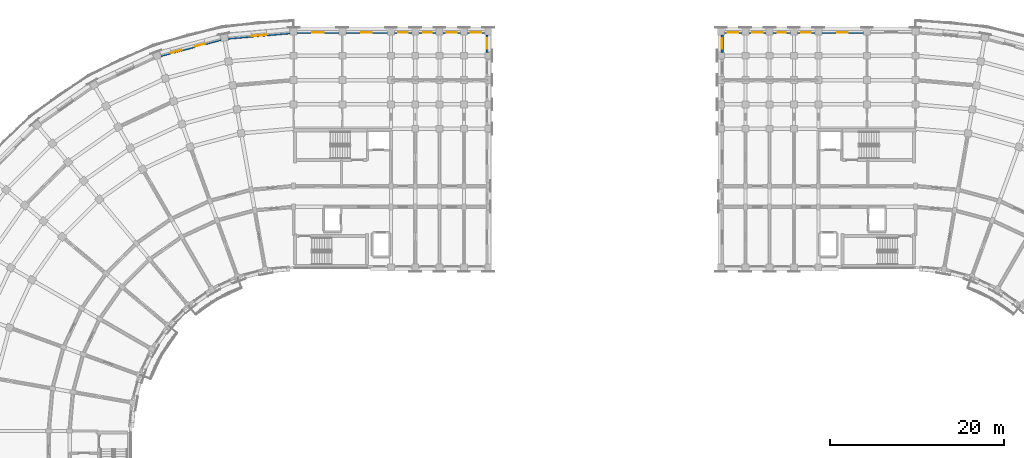
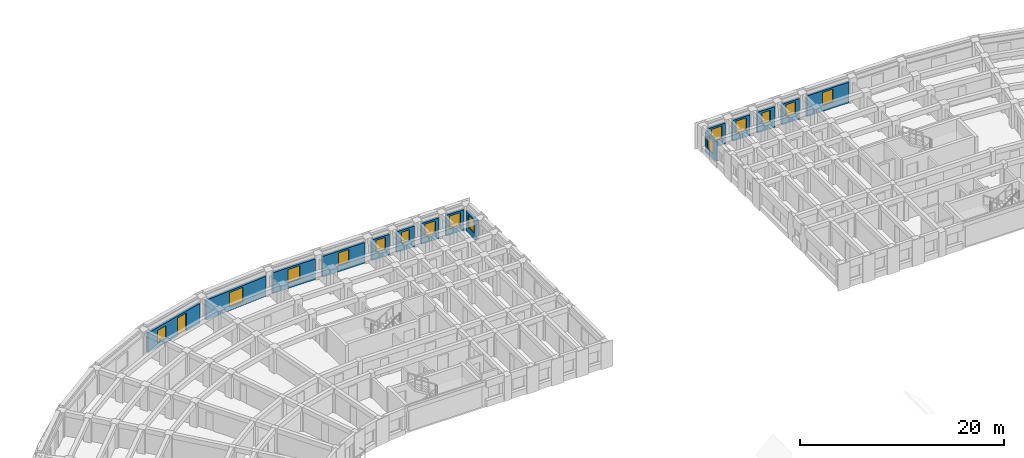
# One storey, part 35 of 54: 15 walls, 15 windows, 1 door, 16 openings.
"""IFC4 building model written with IfcOpenShell, lengths in metres."""

from ifc_helpers import new_model, si_unit, direction, frame, frame_2d, origin, place, context, subcontext, project, spatial, rectangle, extrude, material, layer, layer_set, type_object, element, fill, save


model = new_model("IFC4")

# Units and contexts
model_context = context("Model", 3, precision=1e-05, world=origin(), true_north=direction((0.0, 1.0)))
body_context = subcontext(model_context, "Body", "Model", "MODEL_VIEW")
ifc_project = project(units=[si_unit("LENGTHUNIT", "METRE"), si_unit("AREAUNIT", "SQUARE_METRE"), si_unit("VOLUMEUNIT", "CUBIC_METRE"), si_unit("PLANEANGLEUNIT", "RADIAN"), si_unit("MASSUNIT", "GRAM", prefix="KILO")], contexts=[model_context])

# Site, building, storey
site_placement = place(None, origin())
site = spatial("IfcSite", under=ifc_project, at=site_placement, CompositionType="ELEMENT")
building_placement = place(site_placement, origin())
building = spatial("IfcBuilding", under=site, at=building_placement, Name="Kiranvali Square Residences", CompositionType="ELEMENT")
storey_placement = place(building_placement, frame((0.0, 0.0, 11.85009765625)))
storey = spatial("IfcBuildingStorey", under=building, at=storey_placement, Name="L03", CompositionType="ELEMENT", Elevation=11.85009765625)

# Wall, opening, window
ifc_material_1 = material(Name="Breathable lime-rendered clay brick masonry", Category="masonry")
ifc_layer = layer(ifc_material_1, 0.27490234375)
ifc_layer_set = layer_set([ifc_layer], Name="Breathable lime-rendered clay brick masonry")
wall_type = type_object("IfcWallType", Name="WL-EXT-275", PredefinedType="STANDARD", material=ifc_layer_set)
wall_1_placement = place(storey_placement, frame((47.785400390625, 133.63818359375, 0.0), z_axis=(0.0, 0.0, 1.0), x_axis=(-0.99619608453, -0.08713989423, 0.0)))
wall_1 = element("IfcWall", 1, at=wall_1_placement, inside=storey, type_object=wall_type, Name="L03 exterior wall A-L03-CRV-00", PredefinedType="STANDARD", context=body_context, shape_type="SweptSolid", body=[
    extrude(rectangle(XDim=7.1640625, YDim=0.27490234375, at=frame_2d((3.58203125, 0.0))), origin(), (0.0, 0.0, 1.0), 2.371826171875),
])
opening_1_placement = place(wall_1_placement, frame((2.757080078125, 0.0, 0.422119140625)))
opening_1 = element("IfcOpeningElement", 2, at=opening_1_placement, cuts=wall_1, Name="Opening W-13", PredefinedType="OPENING", context=body_context, shape_type="SweptSolid", body=[
    extrude(rectangle(XDim=1.64990234375, YDim=1.75, at=frame_2d((0.824951171875, 0.875))), frame((0.0, 0.1474609375, 0.0), z_axis=(0.0, -1.0, 0.0), x_axis=(1.0, 0.0, 0.0)), (0.0, 0.0, 1.0), 0.294921875),
])
ifc_material_2 = material(Name="Solar-control low-e double glazing", Category="glass")
window_type_1 = type_object("IfcWindowType", Name="WIN-RES-1650x1750", PartitioningType="DOUBLE_PANEL_VERTICAL", PredefinedType="WINDOW", material=ifc_material_2)
window_1_placement = place(opening_1_placement, origin())
window_1 = element("IfcWindow", 3, at=window_1_placement, inside=storey, type_object=window_type_1, Name="L03 recessed window A-L03-CRV-00", OverallHeight=1.75, OverallWidth=1.64990234375, PartitioningType="DOUBLE_PANEL_VERTICAL", PredefinedType="WINDOW", context=body_context, shape_type="SweptSolid", body=[
    extrude(rectangle(XDim=1.64990234375, YDim=1.75, at=frame_2d((0.824951171875, 0.875))), frame((0.0, 0.030029296875, 0.0), z_axis=(0.0, -1.0, 0.0), x_axis=(1.0, 0.0, 0.0)), (0.0, 0.0, 1.0), 0.06005859375),
])
fill(opening_1, window_1)

# Wall, openings, door, window
wall_2_placement = place(storey_placement, frame((39.83203125, 132.869873046875, 0.0), z_axis=(0.0, 0.0, 1.0), x_axis=(-0.965923712619, -0.258826933296, 0.0)))
wall_2 = element("IfcWall", 4, at=wall_2_placement, inside=storey, type_object=wall_type, Name="L03 exterior wall A-L03-CRV-01", PredefinedType="STANDARD", context=body_context, shape_type="SweptSolid", body=[
    extrude(rectangle(XDim=7.1640625, YDim=0.27490234375, at=frame_2d((3.58203125, 0.0))), origin(), (0.0, 0.0, 1.0), 2.371826171875),
])
opening_2_placement = place(wall_2_placement, frame((4.6904296875, 0.0, 0.52197265625)))
opening_2 = element("IfcOpeningElement", 5, at=opening_2_placement, cuts=wall_2, Name="Opening W-06", PredefinedType="OPENING", context=body_context, shape_type="SweptSolid", body=[
    extrude(rectangle(XDim=1.199951171875, YDim=1.5, at=frame_2d((0.60009765625, 0.75))), frame((0.0, 0.1474609375, 0.0), z_axis=(0.0, -1.0, 0.0), x_axis=(1.0, 0.0, 0.0)), (0.0, 0.0, 1.0), 0.294921875),
])
opening_3_placement = place(wall_2_placement, frame((1.87744140625, 0.0, 0.0)))
opening_3 = element("IfcOpeningElement", 6, at=opening_3_placement, cuts=wall_2, Name="Opening ED-BAL-2", PredefinedType="OPENING", context=body_context, shape_type="SweptSolid", body=[
    extrude(rectangle(XDim=1.260009765625, YDim=2.14990234375, at=frame_2d((0.6298828125, 1.074951171875))), frame((0.0, 0.1474609375, 0.0), z_axis=(0.0, -1.0, 0.0), x_axis=(1.0, 0.0, 0.0)), (0.0, 0.0, 1.0), 0.294921875),
])
ifc_material_3 = material(Name="Anodised bronze aluminium framing", Category="aluminium")
door_type = type_object("IfcDoorType", Name="DR-BAL-1260", OperationType="NOTDEFINED", PredefinedType="DOOR", material=ifc_material_3)
door_placement = place(opening_3_placement, frame((1.260009765625, 0.0, 0.0), z_axis=(0.0, 0.0, 1.0), x_axis=(-1.0, 0.0, 0.0)))
door = element("IfcDoor", 7, at=door_placement, inside=storey, type_object=door_type, Name="L03 balcony terrace door", OperationType="SINGLE_SWING_RIGHT", OverallHeight=2.14990234375, OverallWidth=1.260009765625, PredefinedType="DOOR", context=body_context, shape_type="SweptSolid", body=[
    extrude(rectangle(XDim=1.260009765625, YDim=2.14990234375, at=frame_2d((0.6298828125, 1.074951171875))), frame((0.0, 0.02490234375, 0.0), z_axis=(0.0, -1.0, 0.0), x_axis=(1.0, 0.0, 0.0)), (0.0, 0.0, 1.0), 0.050048828125),
])
fill(opening_3, door)
window_type_2 = type_object("IfcWindowType", Name="WIN-RES-1200x1500", PartitioningType="SINGLE_PANEL", PredefinedType="WINDOW", material=ifc_material_2)
window_2_placement = place(opening_2_placement, origin())
window_2 = element("IfcWindow", 8, at=window_2_placement, inside=storey, type_object=window_type_2, Name="L03 recessed window A-L03-CRV-01", OverallHeight=1.5, OverallWidth=1.199951171875, PartitioningType="SINGLE_PANEL", PredefinedType="WINDOW", context=body_context, shape_type="SweptSolid", body=[
    extrude(rectangle(XDim=1.199951171875, YDim=1.5, at=frame_2d((0.60009765625, 0.75))), frame((0.0, 0.030029296875, 0.0), z_axis=(0.0, -1.0, 0.0), x_axis=(1.0, 0.0, 0.0)), (0.0, 0.0, 1.0), 0.06005859375),
])
fill(opening_2, window_2)

# Wall, opening, window
wall_3_placement = place(storey_placement, frame((48.603515625, 133.675048828125, 0.0), z_axis=(0.0, 0.0, 1.0), x_axis=(1.0, 0.0, 0.0)))
wall_3 = element("IfcWall", 9, at=wall_3_placement, inside=storey, type_object=wall_type, Name="L03 exterior wall A-L03-A1O-0", PredefinedType="STANDARD", context=body_context, shape_type="SweptSolid", body=[
    extrude(rectangle(XDim=4.79296875, YDim=0.27490234375, at=frame_2d((2.396484375, 0.0))), origin(), (0.0, 0.0, 1.0), 2.471923828125),
])
opening_4_placement = place(wall_3_placement, frame((1.721435546875, 0.0, 0.672119140625)))
opening_4 = element("IfcOpeningElement", 10, at=opening_4_placement, cuts=wall_3, Name="Opening W-14", PredefinedType="OPENING", context=body_context, shape_type="SweptSolid", body=[
    extrude(rectangle(XDim=1.35009765625, YDim=1.60009765625, at=frame_2d((0.675048828125, 0.800048828125))), frame((0.0, 0.1474609375, 0.0), z_axis=(0.0, -1.0, 0.0), x_axis=(1.0, 0.0, 0.0)), (0.0, 0.0, 1.0), 0.294921875),
])
window_type_3 = type_object("IfcWindowType", Name="WIN-RES-1350x1600", PartitioningType="DOUBLE_PANEL_VERTICAL", PredefinedType="WINDOW", material=ifc_material_2)
window_3_placement = place(opening_4_placement, origin())
window_3 = element("IfcWindow", 11, at=window_3_placement, inside=storey, type_object=window_type_3, Name="L03 recessed window A-L03-A1O-0", OverallHeight=1.60009765625, OverallWidth=1.35009765625, PartitioningType="DOUBLE_PANEL_VERTICAL", PredefinedType="WINDOW", context=body_context, shape_type="SweptSolid", body=[
    extrude(rectangle(XDim=1.35009765625, YDim=1.60009765625, at=frame_2d((0.675048828125, 0.800048828125))), frame((0.0, 0.030029296875, 0.0), z_axis=(0.0, -1.0, 0.0), x_axis=(1.0, 0.0, 0.0)), (0.0, 0.0, 1.0), 0.06005859375),
])
fill(opening_4, window_3)

wall_4_placement = place(storey_placement, frame((54.20361328125, 133.675048828125, 0.0), z_axis=(0.0, 0.0, 1.0), x_axis=(1.0, 0.0, 0.0)))
wall_4 = element("IfcWall", 12, at=wall_4_placement, inside=storey, type_object=wall_type, Name="L03 exterior wall A-L03-A1O-1", PredefinedType="STANDARD", context=body_context, shape_type="SweptSolid", body=[
    extrude(rectangle(XDim=4.79296875, YDim=0.27490234375, at=frame_2d((2.396484375, 0.0))), origin(), (0.0, 0.0, 1.0), 2.471923828125),
])
opening_5_placement = place(wall_4_placement, frame((1.79638671875, 0.0, 0.77197265625)))
opening_5 = element("IfcOpeningElement", 13, at=opening_5_placement, cuts=wall_4, Name="Opening W-06", PredefinedType="OPENING", context=body_context, shape_type="SweptSolid", body=[
    extrude(rectangle(XDim=1.199951171875, YDim=1.5, at=frame_2d((0.60009765625, 0.75))), frame((0.0, 0.1474609375, 0.0), z_axis=(0.0, -1.0, 0.0), x_axis=(1.0, 0.0, 0.0)), (0.0, 0.0, 1.0), 0.294921875),
])
window_4_placement = place(opening_5_placement, origin())
window_4 = element("IfcWindow", 14, at=window_4_placement, inside=storey, type_object=window_type_2, Name="L03 recessed window A-L03-A1O-1", OverallHeight=1.5, OverallWidth=1.199951171875, PartitioningType="SINGLE_PANEL", PredefinedType="WINDOW", context=body_context, shape_type="SweptSolid", body=[
    extrude(rectangle(XDim=1.199951171875, YDim=1.5, at=frame_2d((0.60009765625, 0.75))), frame((0.0, 0.030029296875, 0.0), z_axis=(0.0, -1.0, 0.0), x_axis=(1.0, 0.0, 0.0)), (0.0, 0.0, 1.0), 0.06005859375),
])
fill(opening_5, window_4)

wall_5_placement = place(storey_placement, frame((59.803466796875, 133.675048828125, 0.0), z_axis=(0.0, 0.0, 1.0), x_axis=(1.0, 0.0, 0.0)))
wall_5 = element("IfcWall", 15, at=wall_5_placement, inside=storey, type_object=wall_type, Name="L03 exterior wall A-L03-A1O-2", PredefinedType="STANDARD", context=body_context, shape_type="SweptSolid", body=[
    extrude(rectangle(XDim=1.992919921875, YDim=0.27490234375, at=frame_2d((0.99658203125, 0.0))), origin(), (0.0, 0.0, 1.0), 2.471923828125),
])
opening_6_placement = place(wall_5_placement, frame((0.446533203125, 0.0, 0.822021484375)))
opening_6 = element("IfcOpeningElement", 16, at=opening_6_placement, cuts=wall_5, Name="Opening W-15", PredefinedType="OPENING", context=body_context, shape_type="SweptSolid", body=[
    extrude(rectangle(XDim=1.10009765625, YDim=1.449951171875, at=frame_2d((0.550048828125, 0.72509765625))), frame((0.0, 0.1474609375, 0.0), z_axis=(0.0, -1.0, 0.0), x_axis=(1.0, 0.0, 0.0)), (0.0, 0.0, 1.0), 0.294921875),
])
window_type_4 = type_object("IfcWindowType", Name="WIN-RES-1100x1450", PartitioningType="SINGLE_PANEL", PredefinedType="WINDOW", material=ifc_material_2)
window_5_placement = place(opening_6_placement, origin())
window_5 = element("IfcWindow", 17, at=window_5_placement, inside=storey, type_object=window_type_4, Name="L03 recessed window A-L03-A1O-2", OverallHeight=1.449951171875, OverallWidth=1.10009765625, PartitioningType="SINGLE_PANEL", PredefinedType="WINDOW", context=body_context, shape_type="SweptSolid", body=[
    extrude(rectangle(XDim=1.10009765625, YDim=1.449951171875, at=frame_2d((0.550048828125, 0.72509765625))), frame((0.0, 0.030029296875, 0.0), z_axis=(0.0, -1.0, 0.0), x_axis=(1.0, 0.0, 0.0)), (0.0, 0.0, 1.0), 0.06005859375),
])
fill(opening_6, window_5)

wall_6_placement = place(storey_placement, frame((62.603515625, 133.675048828125, 0.0), z_axis=(0.0, 0.0, 1.0), x_axis=(1.0, 0.0, 0.0)))
wall_6 = element("IfcWall", 18, at=wall_6_placement, inside=storey, type_object=wall_type, Name="L03 exterior wall A-L03-A1O-3", PredefinedType="STANDARD", context=body_context, shape_type="SweptSolid", body=[
    extrude(rectangle(XDim=1.992919921875, YDim=0.27490234375, at=frame_2d((0.99658203125, 0.0))), origin(), (0.0, 0.0, 1.0), 2.471923828125),
])
opening_7_placement = place(wall_6_placement, frame((0.521484375, 0.0, 0.8798828125)))
opening_7 = element("IfcOpeningElement", 19, at=opening_7_placement, cuts=wall_6, Name="Opening W-16", PredefinedType="OPENING", context=body_context, shape_type="SweptSolid", body=[
    extrude(rectangle(XDim=0.949951171875, YDim=1.35009765625, at=frame_2d((0.47509765625, 0.675048828125))), frame((0.0, 0.1474609375, 0.0), z_axis=(0.0, -1.0, 0.0), x_axis=(1.0, 0.0, 0.0)), (0.0, 0.0, 1.0), 0.294921875),
])
window_type_5 = type_object("IfcWindowType", Name="WIN-RES-950x1350", PartitioningType="SINGLE_PANEL", PredefinedType="WINDOW", material=ifc_material_2)
window_6_placement = place(opening_7_placement, origin())
window_6 = element("IfcWindow", 20, at=window_6_placement, inside=storey, type_object=window_type_5, Name="L03 recessed window A-L03-A1O-3", OverallHeight=1.35009765625, OverallWidth=0.949951171875, PartitioningType="SINGLE_PANEL", PredefinedType="WINDOW", context=body_context, shape_type="SweptSolid", body=[
    extrude(rectangle(XDim=0.949951171875, YDim=1.35009765625, at=frame_2d((0.47509765625, 0.675048828125))), frame((0.0, 0.030029296875, 0.0), z_axis=(0.0, -1.0, 0.0), x_axis=(1.0, 0.0, 0.0)), (0.0, 0.0, 1.0), 0.06005859375),
])
fill(opening_7, window_6)

wall_7_placement = place(storey_placement, frame((65.403564453125, 133.675048828125, 0.0), z_axis=(0.0, 0.0, 1.0), x_axis=(1.0, 0.0, 0.0)))
wall_7 = element("IfcWall", 21, at=wall_7_placement, inside=storey, type_object=wall_type, Name="L03 exterior wall A-L03-A1O-4", PredefinedType="STANDARD", context=body_context, shape_type="SweptSolid", body=[
    extrude(rectangle(XDim=1.992919921875, YDim=0.27490234375, at=frame_2d((0.99658203125, 0.0))), origin(), (0.0, 0.0, 1.0), 2.471923828125),
])
opening_8_placement = place(wall_7_placement, frame((0.396484375, 0.0, 0.77197265625)))
opening_8 = element("IfcOpeningElement", 22, at=opening_8_placement, cuts=wall_7, Name="Opening W-06", PredefinedType="OPENING", context=body_context, shape_type="SweptSolid", body=[
    extrude(rectangle(XDim=1.199951171875, YDim=1.5, at=frame_2d((0.60009765625, 0.75))), frame((0.0, 0.1474609375, 0.0), z_axis=(0.0, -1.0, 0.0), x_axis=(1.0, 0.0, 0.0)), (0.0, 0.0, 1.0), 0.294921875),
])
window_7_placement = place(opening_8_placement, origin())
window_7 = element("IfcWindow", 23, at=window_7_placement, inside=storey, type_object=window_type_2, Name="L03 recessed window A-L03-A1O-4", OverallHeight=1.5, OverallWidth=1.199951171875, PartitioningType="SINGLE_PANEL", PredefinedType="WINDOW", context=body_context, shape_type="SweptSolid", body=[
    extrude(rectangle(XDim=1.199951171875, YDim=1.5, at=frame_2d((0.60009765625, 0.75))), frame((0.0, 0.030029296875, 0.0), z_axis=(0.0, -1.0, 0.0), x_axis=(1.0, 0.0, 0.0)), (0.0, 0.0, 1.0), 0.06005859375),
])
fill(opening_8, window_7)

wall_8_placement = place(storey_placement, frame((68.20361328125, 133.675048828125, 0.0), z_axis=(0.0, 0.0, 1.0), x_axis=(1.0, 0.0, 0.0)))
wall_8 = element("IfcWall", 24, at=wall_8_placement, inside=storey, type_object=wall_type, Name="L03 exterior wall A-L03-A1O-5", PredefinedType="STANDARD", context=body_context, shape_type="SweptSolid", body=[
    extrude(rectangle(XDim=1.992919921875, YDim=0.27490234375, at=frame_2d((0.99658203125, 0.0))), origin(), (0.0, 0.0, 1.0), 2.471923828125),
])
opening_9_placement = place(wall_8_placement, frame((0.396484375, 0.0, 0.77197265625)))
opening_9 = element("IfcOpeningElement", 25, at=opening_9_placement, cuts=wall_8, Name="Opening W-06", PredefinedType="OPENING", context=body_context, shape_type="SweptSolid", body=[
    extrude(rectangle(XDim=1.199951171875, YDim=1.5, at=frame_2d((0.60009765625, 0.75))), frame((0.0, 0.1474609375, 0.0), z_axis=(0.0, -1.0, 0.0), x_axis=(1.0, 0.0, 0.0)), (0.0, 0.0, 1.0), 0.294921875),
])
window_8_placement = place(opening_9_placement, origin())
window_8 = element("IfcWindow", 26, at=window_8_placement, inside=storey, type_object=window_type_2, Name="L03 recessed window A-L03-A1O-5", OverallHeight=1.5, OverallWidth=1.199951171875, PartitioningType="SINGLE_PANEL", PredefinedType="WINDOW", context=body_context, shape_type="SweptSolid", body=[
    extrude(rectangle(XDim=1.199951171875, YDim=1.5, at=frame_2d((0.60009765625, 0.75))), frame((0.0, 0.030029296875, 0.0), z_axis=(0.0, -1.0, 0.0), x_axis=(1.0, 0.0, 0.0)), (0.0, 0.0, 1.0), 0.06005859375),
])
fill(opening_9, window_8)

wall_9_placement = place(storey_placement, frame((70.47509765625, 131.403564453125, 0.0), z_axis=(0.0, 0.0, 1.0), x_axis=(0.0, 1.0, 0.0)))
wall_9 = element("IfcWall", 27, at=wall_9_placement, inside=storey, type_object=wall_type, Name="L03 exterior wall A-L03-A1END-6", PredefinedType="STANDARD", context=body_context, shape_type="SweptSolid", body=[
    extrude(rectangle(XDim=1.992919921875, YDim=0.27490234375, at=frame_2d((0.99658203125, 0.0))), origin(), (0.0, 0.0, 1.0), 2.371826171875),
])
opening_10_placement = place(wall_9_placement, frame((0.396484375, 0.0, 0.672119140625)))
opening_10 = element("IfcOpeningElement", 28, at=opening_10_placement, cuts=wall_9, Name="Opening W-06", PredefinedType="OPENING", context=body_context, shape_type="SweptSolid", body=[
    extrude(rectangle(XDim=1.199951171875, YDim=1.5, at=frame_2d((0.60009765625, 0.75))), frame((0.0, 0.1474609375, 0.0), z_axis=(0.0, -1.0, 0.0), x_axis=(1.0, 0.0, 0.0)), (0.0, 0.0, 1.0), 0.294921875),
])
window_9_placement = place(opening_10_placement, origin())
window_9 = element("IfcWindow", 29, at=window_9_placement, inside=storey, type_object=window_type_2, Name="L03 recessed window A-L03-A1END-6", OverallHeight=1.5, OverallWidth=1.199951171875, PartitioningType="SINGLE_PANEL", PredefinedType="WINDOW", context=body_context, shape_type="SweptSolid", body=[
    extrude(rectangle(XDim=1.199951171875, YDim=1.5, at=frame_2d((0.60009765625, 0.75))), frame((0.0, 0.030029296875, 0.0), z_axis=(0.0, -1.0, 0.0), x_axis=(1.0, 0.0, 0.0)), (0.0, 0.0, 1.0), 0.06005859375),
])
fill(opening_10, window_9)

wall_10_placement = place(storey_placement, frame((113.79638671875, 133.675048828125, 0.0), z_axis=(0.0, 0.0, 1.0), x_axis=(-1.0, 0.0, 0.0)))
wall_10 = element("IfcWall", 30, at=wall_10_placement, inside=storey, type_object=wall_type, Name="L03 exterior wall B-L03-A1O-1", PredefinedType="STANDARD", context=body_context, shape_type="SweptSolid", body=[
    extrude(rectangle(XDim=4.79296875, YDim=0.27490234375, at=frame_2d((2.396484375, 0.0))), origin(), (0.0, 0.0, 1.0), 2.471923828125),
])
opening_11_placement = place(wall_10_placement, frame((1.79638671875, 0.0, 0.77197265625)))
opening_11 = element("IfcOpeningElement", 31, at=opening_11_placement, cuts=wall_10, Name="Opening W-06", PredefinedType="OPENING", context=body_context, shape_type="SweptSolid", body=[
    extrude(rectangle(XDim=1.199951171875, YDim=1.5, at=frame_2d((0.60009765625, 0.75))), frame((0.0, 0.1474609375, 0.0), z_axis=(0.0, -1.0, 0.0), x_axis=(1.0, 0.0, 0.0)), (0.0, 0.0, 1.0), 0.294921875),
])
window_10_placement = place(opening_11_placement, origin())
window_10 = element("IfcWindow", 32, at=window_10_placement, inside=storey, type_object=window_type_2, Name="L03 recessed window B-L03-A1O-1", OverallHeight=1.5, OverallWidth=1.199951171875, PartitioningType="SINGLE_PANEL", PredefinedType="WINDOW", context=body_context, shape_type="SweptSolid", body=[
    extrude(rectangle(XDim=1.199951171875, YDim=1.5, at=frame_2d((0.60009765625, 0.75))), frame((0.0, 0.030029296875, 0.0), z_axis=(0.0, -1.0, 0.0), x_axis=(1.0, 0.0, 0.0)), (0.0, 0.0, 1.0), 0.06005859375),
])
fill(opening_11, window_10)

wall_11_placement = place(storey_placement, frame((108.196533203125, 133.675048828125, 0.0), z_axis=(0.0, 0.0, 1.0), x_axis=(-1.0, 0.0, 0.0)))
wall_11 = element("IfcWall", 33, at=wall_11_placement, inside=storey, type_object=wall_type, Name="L03 exterior wall B-L03-A1O-2", PredefinedType="STANDARD", context=body_context, shape_type="SweptSolid", body=[
    extrude(rectangle(XDim=1.992919921875, YDim=0.27490234375, at=frame_2d((0.99658203125, 0.0))), origin(), (0.0, 0.0, 1.0), 2.471923828125),
])
opening_12_placement = place(wall_11_placement, frame((0.446533203125, 0.0, 0.822021484375)))
opening_12 = element("IfcOpeningElement", 34, at=opening_12_placement, cuts=wall_11, Name="Opening W-15", PredefinedType="OPENING", context=body_context, shape_type="SweptSolid", body=[
    extrude(rectangle(XDim=1.10009765625, YDim=1.449951171875, at=frame_2d((0.550048828125, 0.72509765625))), frame((0.0, 0.1474609375, 0.0), z_axis=(0.0, -1.0, 0.0), x_axis=(1.0, 0.0, 0.0)), (0.0, 0.0, 1.0), 0.294921875),
])
window_11_placement = place(opening_12_placement, origin())
window_11 = element("IfcWindow", 35, at=window_11_placement, inside=storey, type_object=window_type_4, Name="L03 recessed window B-L03-A1O-2", OverallHeight=1.449951171875, OverallWidth=1.10009765625, PartitioningType="SINGLE_PANEL", PredefinedType="WINDOW", context=body_context, shape_type="SweptSolid", body=[
    extrude(rectangle(XDim=1.10009765625, YDim=1.449951171875, at=frame_2d((0.550048828125, 0.72509765625))), frame((0.0, 0.030029296875, 0.0), z_axis=(0.0, -1.0, 0.0), x_axis=(1.0, 0.0, 0.0)), (0.0, 0.0, 1.0), 0.06005859375),
])
fill(opening_12, window_11)

wall_12_placement = place(storey_placement, frame((105.396484375, 133.675048828125, 0.0), z_axis=(0.0, 0.0, 1.0), x_axis=(-1.0, 0.0, 0.0)))
wall_12 = element("IfcWall", 36, at=wall_12_placement, inside=storey, type_object=wall_type, Name="L03 exterior wall B-L03-A1O-3", PredefinedType="STANDARD", context=body_context, shape_type="SweptSolid", body=[
    extrude(rectangle(XDim=1.992919921875, YDim=0.27490234375, at=frame_2d((0.99658203125, 0.0))), origin(), (0.0, 0.0, 1.0), 2.471923828125),
])
opening_13_placement = place(wall_12_placement, frame((0.521484375, 0.0, 0.8798828125)))
opening_13 = element("IfcOpeningElement", 37, at=opening_13_placement, cuts=wall_12, Name="Opening W-16", PredefinedType="OPENING", context=body_context, shape_type="SweptSolid", body=[
    extrude(rectangle(XDim=0.949951171875, YDim=1.35009765625, at=frame_2d((0.47509765625, 0.675048828125))), frame((0.0, 0.1474609375, 0.0), z_axis=(0.0, -1.0, 0.0), x_axis=(1.0, 0.0, 0.0)), (0.0, 0.0, 1.0), 0.294921875),
])
window_12_placement = place(opening_13_placement, origin())
window_12 = element("IfcWindow", 38, at=window_12_placement, inside=storey, type_object=window_type_5, Name="L03 recessed window B-L03-A1O-3", OverallHeight=1.35009765625, OverallWidth=0.949951171875, PartitioningType="SINGLE_PANEL", PredefinedType="WINDOW", context=body_context, shape_type="SweptSolid", body=[
    extrude(rectangle(XDim=0.949951171875, YDim=1.35009765625, at=frame_2d((0.47509765625, 0.675048828125))), frame((0.0, 0.030029296875, 0.0), z_axis=(0.0, -1.0, 0.0), x_axis=(1.0, 0.0, 0.0)), (0.0, 0.0, 1.0), 0.06005859375),
])
fill(opening_13, window_12)

wall_13_placement = place(storey_placement, frame((102.596435546875, 133.675048828125, 0.0), z_axis=(0.0, 0.0, 1.0), x_axis=(-1.0, 0.0, 0.0)))
wall_13 = element("IfcWall", 39, at=wall_13_placement, inside=storey, type_object=wall_type, Name="L03 exterior wall B-L03-A1O-4", PredefinedType="STANDARD", context=body_context, shape_type="SweptSolid", body=[
    extrude(rectangle(XDim=1.992919921875, YDim=0.27490234375, at=frame_2d((0.99658203125, 0.0))), origin(), (0.0, 0.0, 1.0), 2.471923828125),
])
opening_14_placement = place(wall_13_placement, frame((0.396484375, 0.0, 0.77197265625)))
opening_14 = element("IfcOpeningElement", 40, at=opening_14_placement, cuts=wall_13, Name="Opening W-06", PredefinedType="OPENING", context=body_context, shape_type="SweptSolid", body=[
    extrude(rectangle(XDim=1.199951171875, YDim=1.5, at=frame_2d((0.60009765625, 0.75))), frame((0.0, 0.1474609375, 0.0), z_axis=(0.0, -1.0, 0.0), x_axis=(1.0, 0.0, 0.0)), (0.0, 0.0, 1.0), 0.294921875),
])
window_13_placement = place(opening_14_placement, origin())
window_13 = element("IfcWindow", 41, at=window_13_placement, inside=storey, type_object=window_type_2, Name="L03 recessed window B-L03-A1O-4", OverallHeight=1.5, OverallWidth=1.199951171875, PartitioningType="SINGLE_PANEL", PredefinedType="WINDOW", context=body_context, shape_type="SweptSolid", body=[
    extrude(rectangle(XDim=1.199951171875, YDim=1.5, at=frame_2d((0.60009765625, 0.75))), frame((0.0, 0.030029296875, 0.0), z_axis=(0.0, -1.0, 0.0), x_axis=(1.0, 0.0, 0.0)), (0.0, 0.0, 1.0), 0.06005859375),
])
fill(opening_14, window_13)

wall_14_placement = place(storey_placement, frame((99.79638671875, 133.675048828125, 0.0), z_axis=(0.0, 0.0, 1.0), x_axis=(-1.0, 0.0, 0.0)))
wall_14 = element("IfcWall", 42, at=wall_14_placement, inside=storey, type_object=wall_type, Name="L03 exterior wall B-L03-A1O-5", PredefinedType="STANDARD", context=body_context, shape_type="SweptSolid", body=[
    extrude(rectangle(XDim=1.992919921875, YDim=0.27490234375, at=frame_2d((0.99658203125, 0.0))), origin(), (0.0, 0.0, 1.0), 2.471923828125),
])
opening_15_placement = place(wall_14_placement, frame((0.396484375, 0.0, 0.77197265625)))
opening_15 = element("IfcOpeningElement", 43, at=opening_15_placement, cuts=wall_14, Name="Opening W-06", PredefinedType="OPENING", context=body_context, shape_type="SweptSolid", body=[
    extrude(rectangle(XDim=1.199951171875, YDim=1.5, at=frame_2d((0.60009765625, 0.75))), frame((0.0, 0.1474609375, 0.0), z_axis=(0.0, -1.0, 0.0), x_axis=(1.0, 0.0, 0.0)), (0.0, 0.0, 1.0), 0.294921875),
])
window_14_placement = place(opening_15_placement, origin())
window_14 = element("IfcWindow", 44, at=window_14_placement, inside=storey, type_object=window_type_2, Name="L03 recessed window B-L03-A1O-5", OverallHeight=1.5, OverallWidth=1.199951171875, PartitioningType="SINGLE_PANEL", PredefinedType="WINDOW", context=body_context, shape_type="SweptSolid", body=[
    extrude(rectangle(XDim=1.199951171875, YDim=1.5, at=frame_2d((0.60009765625, 0.75))), frame((0.0, 0.030029296875, 0.0), z_axis=(0.0, -1.0, 0.0), x_axis=(1.0, 0.0, 0.0)), (0.0, 0.0, 1.0), 0.06005859375),
])
fill(opening_15, window_14)

wall_15_placement = place(storey_placement, frame((97.52490234375, 131.403564453125, 0.0), z_axis=(0.0, 0.0, 1.0), x_axis=(0.0, 1.0, 0.0)))
wall_15 = element("IfcWall", 45, at=wall_15_placement, inside=storey, type_object=wall_type, Name="L03 exterior wall B-L03-A1END-6", PredefinedType="STANDARD", context=body_context, shape_type="SweptSolid", body=[
    extrude(rectangle(XDim=1.992919921875, YDim=0.27490234375, at=frame_2d((0.99658203125, 0.0))), origin(), (0.0, 0.0, 1.0), 2.371826171875),
])
opening_16_placement = place(wall_15_placement, frame((0.396484375, 0.0, 0.672119140625)))
opening_16 = element("IfcOpeningElement", 46, at=opening_16_placement, cuts=wall_15, Name="Opening W-06", PredefinedType="OPENING", context=body_context, shape_type="SweptSolid", body=[
    extrude(rectangle(XDim=1.199951171875, YDim=1.5, at=frame_2d((0.60009765625, 0.75))), frame((0.0, 0.1474609375, 0.0), z_axis=(0.0, -1.0, 0.0), x_axis=(1.0, 0.0, 0.0)), (0.0, 0.0, 1.0), 0.294921875),
])
window_15_placement = place(opening_16_placement, origin())
window_15 = element("IfcWindow", 47, at=window_15_placement, inside=storey, type_object=window_type_2, Name="L03 recessed window B-L03-A1END-6", OverallHeight=1.5, OverallWidth=1.199951171875, PartitioningType="SINGLE_PANEL", PredefinedType="WINDOW", context=body_context, shape_type="SweptSolid", body=[
    extrude(rectangle(XDim=1.199951171875, YDim=1.5, at=frame_2d((0.60009765625, 0.75))), frame((0.0, 0.030029296875, 0.0), z_axis=(0.0, -1.0, 0.0), x_axis=(1.0, 0.0, 0.0)), (0.0, 0.0, 1.0), 0.06005859375),
])
fill(opening_16, window_15)

save(model, "model.ifc")
